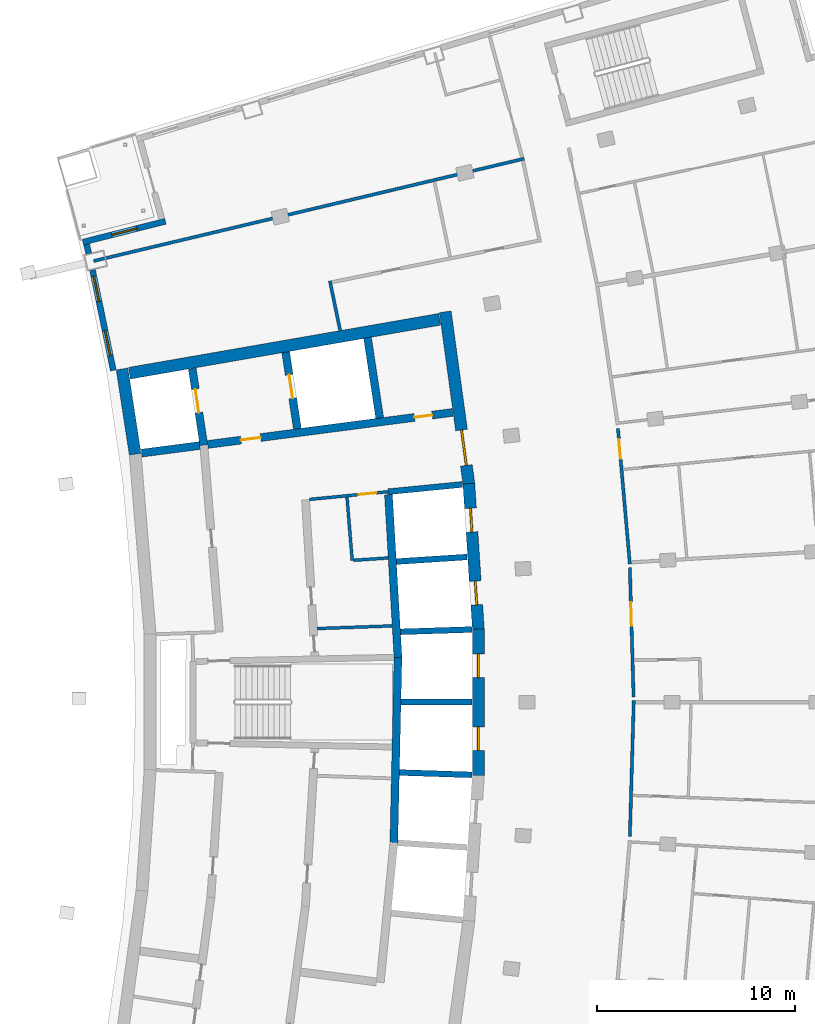
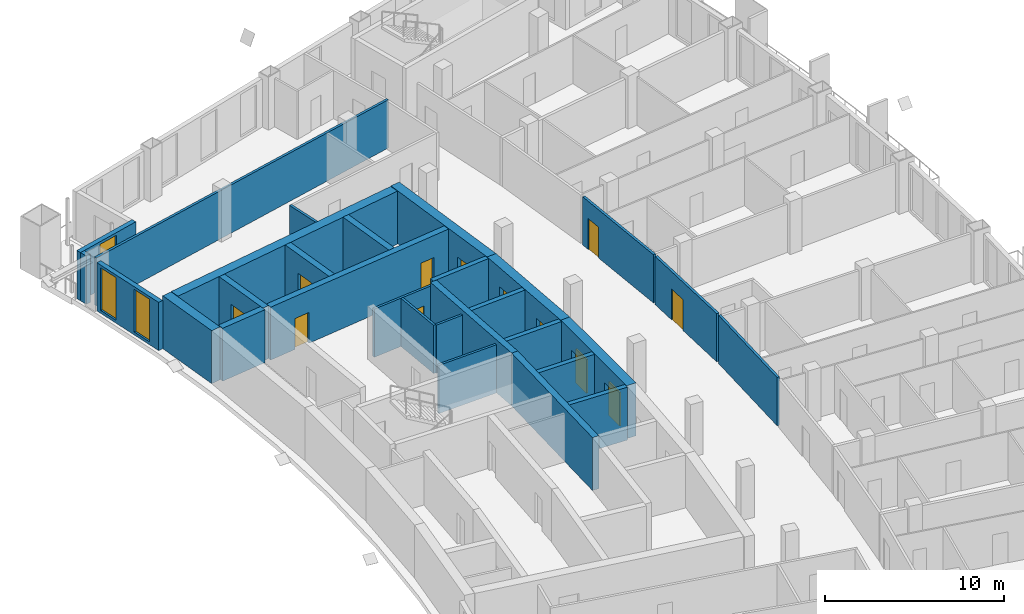
# One storey, part 12 of 17: 29 walls, 12 doors, 3 windows, 15 openings.
"""IFC4 building model written with IfcOpenShell, lengths in metres."""

from ifc_helpers import new_model, si_unit, direction, frame, frame_2d, origin, place, context, subcontext, project, spatial, rectangle, extrude, material, layer, layer_set, type_object, element, fill, save


model = new_model("IFC4")

# Units and contexts
model_context = context("Model", 3, precision=1e-05, world=origin(), true_north=direction((0.0, 1.0)))
body_context = subcontext(model_context, "Body", "Model", "MODEL_VIEW")
ifc_project = project(units=[si_unit("LENGTHUNIT", "METRE"), si_unit("AREAUNIT", "SQUARE_METRE"), si_unit("VOLUMEUNIT", "CUBIC_METRE"), si_unit("PLANEANGLEUNIT", "RADIAN"), si_unit("MASSUNIT", "GRAM", prefix="KILO")], contexts=[model_context])

# Site, building, storey
site_placement = place(None, origin())
site = spatial("IfcSite", under=ifc_project, at=site_placement, CompositionType="ELEMENT")
building_placement = place(site_placement, origin())
building = spatial("IfcBuilding", under=site, at=building_placement, Name="Alderwake Tower", CompositionType="ELEMENT")
storey_placement = place(building_placement, frame((0.0, 0.0, 218.0)))
storey = spatial("IfcBuildingStorey", under=building, at=storey_placement, Name="L54", CompositionType="ELEMENT", Elevation=218.0)

# Walls
ifc_material_1 = material(Name="Gypsum shaft wall system, rated")
ifc_layer_1 = layer(ifc_material_1, 0.14990234375)
ifc_layer_set_1 = layer_set([ifc_layer_1], Name="Core riser partition 150")
wall_type_1 = type_object("IfcWallType", Name="Core riser partition 150", PredefinedType="PARTITIONING", material=ifc_layer_set_1)
wall_1_placement = place(storey_placement, frame((25.191162109375, 64.723388671875, 0.0), z_axis=(0.0, 0.0, 1.0), x_axis=(0.999373627871, 0.035388584556, 0.0)))
element("IfcWall", 1, at=wall_1_placement, inside=storey, type_object=wall_type_1, Name="CW/L54/PR+37_+86", PredefinedType="PARTITIONING", context=body_context, shape_type="SweptSolid", body=[
    extrude(rectangle(XDim=3.79443359375, YDim=0.14990234375, at=frame_2d((1.897216796875, 0.0))), origin(), (0.0, 0.0, 1.0), 3.280029296875),
])
ifc_material_2 = material(Name="Gypsum shaft wall system, rated")
ifc_layer_2 = layer(ifc_material_2, 0.14990234375)
ifc_layer_set_2 = layer_set([ifc_layer_2], Name="Core room partition 150")
wall_type_2 = type_object("IfcWallType", Name="Core room partition 150", PredefinedType="PARTITIONING", material=ifc_layer_set_2)
wall_2_placement = place(storey_placement, frame((26.9599609375, 68.170654296875, 0.0), z_axis=(0.0, 0.0, 1.0), x_axis=(-0.081803626558, 0.996648466954, 0.0)))
element("IfcWall", 2, at=wall_2_placement, inside=storey, type_object=wall_type_2, Name="CW/L54/PA+107_+70", PredefinedType="PARTITIONING", context=body_context, shape_type="SweptSolid", body=[
    extrude(rectangle(XDim=3.205322265625, YDim=0.14990234375, at=frame_2d((1.6025390625, 0.0))), origin(), (0.0, 0.0, 1.0), 3.280029296875),
])
wall_3_placement = place(storey_placement, frame((27.034912109375, 68.175537109375, 0.0), z_axis=(0.0, 0.0, 1.0), x_axis=(0.997757929195, 0.066926188655, 0.0)))
element("IfcWall", 3, at=wall_3_placement, inside=storey, type_object=wall_type_2, Name="CW/L54/PR+70_+107", PredefinedType="PARTITIONING", context=body_context, shape_type="SweptSolid", body=[
    extrude(rectangle(XDim=1.7509765625, YDim=0.14990234375, at=frame_2d((0.87548828125, 0.0))), origin(), (0.0, 0.0, 1.0), 3.280029296875),
])

# Wall, opening, door
wall_4_placement = place(storey_placement, frame((28.780517578125, 71.644287109375, 0.0), z_axis=(0.0, 0.0, 1.0), x_axis=(-0.995250000627, -0.097352125046, 0.0)))
wall_4 = element("IfcWall", 4, at=wall_4_placement, inside=storey, type_object=wall_type_2, Name="CW/L54/PR+102_+86", PredefinedType="PARTITIONING", context=body_context, shape_type="SweptSolid", body=[
    extrude(rectangle(XDim=4.0, YDim=0.14990234375, at=frame_2d((2.0, 0.0))), origin(), (0.0, 0.0, 1.0), 3.280029296875),
])
opening_1_placement = place(wall_4_placement, frame((0.60009765625, 0.0, 0.0)))
opening_1 = element("IfcOpeningElement", 5, at=opening_1_placement, cuts=wall_4, Name="Opening C022", PredefinedType="OPENING", context=body_context, shape_type="SweptSolid", body=[
    extrude(rectangle(XDim=0.89990234375, YDim=2.10009765625, at=frame_2d((0.449951171875, 1.050048828125))), frame((0.0, 0.0849609375, 0.0), z_axis=(0.0, -1.0, 0.0), x_axis=(1.0, 0.0, 0.0)), (0.0, 0.0, 1.0), 0.169921875),
])
ifc_material_3 = material(Name="Painted steel leaf", Category="steel")
door_type_1 = type_object("IfcDoorType", Name="Core room door 900", OperationType="SINGLE_SWING_LEFT", PredefinedType="DOOR", material=ifc_material_3)
door_1_placement = place(opening_1_placement, origin())
door_1 = element("IfcDoor", 6, at=door_1_placement, inside=storey, type_object=door_type_1, Name="Room door", OperationType="SINGLE_SWING_LEFT", OverallHeight=2.10009765625, OverallWidth=0.89990234375, PredefinedType="DOOR", context=body_context, shape_type="SweptSolid", body=[
    extrude(rectangle(XDim=0.89990234375, YDim=2.10009765625, at=frame_2d((0.449951171875, 1.050048828125))), frame((0.0, 0.02490234375, 0.0), z_axis=(0.0, -1.0, 0.0), x_axis=(1.0, 0.0, 0.0)), (0.0, 0.0, 1.0), 0.050048828125),
])
fill(opening_1, door_1)

# Wall
ifc_material_4 = material(Name="Concrete C70/85", Category="concrete")
ifc_layer_3 = layer(ifc_material_4, 0.60009765625)
ifc_layer_set_3 = layer_set([ifc_layer_3], Name="Core wall outer 600 C70-85")
wall_type_3 = type_object("IfcWallType", Name="Core wall outer 600 C70-85", PredefinedType="SHEAR", material=ifc_layer_set_3)
wall_5_placement = place(storey_placement, frame((15.984130859375, 73.54296875, 0.0), z_axis=(0.0, 0.0, 1.0), x_axis=(-0.151922578304, 0.988392396876, 0.0)))
element("IfcWall", 7, at=wall_5_placement, inside=storey, type_object=wall_type_3, Name="Core wall CW.034", PredefinedType="SHEAR", context=body_context, shape_type="SweptSolid", body=[
    extrude(rectangle(XDim=4.361328125, YDim=0.60009765625, at=frame_2d((2.1806640625, 0.0))), origin(), (0.0, 0.0, 1.0), 3.60009765625),
])

# Wall, openings, doors
wall_6_placement = place(storey_placement, frame((33.340087890625, 57.30322265625, 0.0), z_axis=(0.0, 0.0, 1.0), x_axis=(0.0, 1.0, 0.0)))
wall_6 = element("IfcWall", 8, at=wall_6_placement, inside=storey, type_object=wall_type_3, Name="Core wall CW.018", PredefinedType="SHEAR", context=body_context, shape_type="SweptSolid", body=[
    extrude(rectangle(XDim=7.3935546875, YDim=0.60009765625, at=frame_2d((3.69677734375, 0.0))), origin(), (0.0, 0.0, 1.0), 3.60009765625),
])
opening_2_placement = place(wall_6_placement, frame((1.25341796875, 0.0, 0.0)))
opening_2 = element("IfcOpeningElement", 9, at=opening_2_placement, cuts=wall_6, Name="Opening LD-HP3", PredefinedType="OPENING", context=body_context, shape_type="SweptSolid", body=[
    extrude(rectangle(XDim=1.199951171875, YDim=2.300048828125, at=frame_2d((0.60009765625, 1.14990234375))), frame((0.0, 0.31005859375, 0.0), z_axis=(0.0, -1.0, 0.0), x_axis=(1.0, 0.0, 0.0)), (0.0, 0.0, 1.0), 0.6201171875),
])
opening_3_placement = place(wall_6_placement, frame((4.940185546875, 0.0, 0.0)))
opening_3 = element("IfcOpeningElement", 10, at=opening_3_placement, cuts=wall_6, Name="Opening LD-HP4", PredefinedType="OPENING", context=body_context, shape_type="SweptSolid", body=[
    extrude(rectangle(XDim=1.199951171875, YDim=2.300048828125, at=frame_2d((0.60009765625, 1.14990234375))), frame((0.0, 0.31005859375, 0.0), z_axis=(0.0, -1.0, 0.0), x_axis=(1.0, 0.0, 0.0)), (0.0, 0.0, 1.0), 0.6201171875),
])
ifc_material_5 = material(Name="Stainless steel sliding leaf", Category="steel")
door_type_2 = type_object("IfcDoorType", Name="Lift landing door 1200", OperationType="SLIDING_TO_LEFT", PredefinedType="DOOR", material=ifc_material_5)
door_2_placement = place(opening_2_placement, origin())
door_2 = element("IfcDoor", 11, at=door_2_placement, inside=storey, type_object=door_type_2, Name="Lift landing door HP3", OperationType="SLIDING_TO_LEFT", OverallHeight=2.300048828125, OverallWidth=1.199951171875, PredefinedType="DOOR", context=body_context, shape_type="SweptSolid", body=[
    extrude(rectangle(XDim=1.199951171875, YDim=2.300048828125, at=frame_2d((0.60009765625, 1.14990234375))), frame((0.0, 0.050048828125, 0.0), z_axis=(0.0, -1.0, 0.0), x_axis=(1.0, 0.0, 0.0)), (0.0, 0.0, 1.0), 0.10009765625),
])
fill(opening_2, door_2)
door_3_placement = place(opening_3_placement, origin())
door_3 = element("IfcDoor", 12, at=door_3_placement, inside=storey, type_object=door_type_2, Name="Lift landing door HP4", OperationType="SLIDING_TO_LEFT", OverallHeight=2.300048828125, OverallWidth=1.199951171875, PredefinedType="DOOR", context=body_context, shape_type="SweptSolid", body=[
    extrude(rectangle(XDim=1.199951171875, YDim=2.300048828125, at=frame_2d((0.60009765625, 1.14990234375))), frame((0.0, 0.050048828125, 0.0), z_axis=(0.0, -1.0, 0.0), x_axis=(1.0, 0.0, 0.0)), (0.0, 0.0, 1.0), 0.10009765625),
])
fill(opening_3, door_3)

wall_7_placement = place(storey_placement, frame((33.3408203125, 64.67626953125, 0.0), z_axis=(0.0, 0.0, 1.0), x_axis=(-0.065013379938, 0.997884392317, 0.0)))
wall_7 = element("IfcWall", 13, at=wall_7_placement, inside=storey, type_object=wall_type_3, Name="Core wall CW.015", PredefinedType="SHEAR", context=body_context, shape_type="SweptSolid", body=[
    extrude(rectangle(XDim=7.39404296875, YDim=0.60009765625, at=frame_2d((3.697021484375, 0.0))), origin(), (0.0, 0.0, 1.0), 3.60009765625),
])
opening_4_placement = place(wall_7_placement, frame((1.253173828125, 0.0, 0.0)))
opening_4 = element("IfcOpeningElement", 14, at=opening_4_placement, cuts=wall_7, Name="Opening LD-HP5", PredefinedType="OPENING", context=body_context, shape_type="SweptSolid", body=[
    extrude(rectangle(XDim=1.199951171875, YDim=2.300048828125, at=frame_2d((0.60009765625, 1.14990234375))), frame((0.0, 0.31005859375, 0.0), z_axis=(0.0, -1.0, 0.0), x_axis=(1.0, 0.0, 0.0)), (0.0, 0.0, 1.0), 0.6201171875),
])
opening_5_placement = place(wall_7_placement, frame((4.940185546875, 0.0, 0.0)))
opening_5 = element("IfcOpeningElement", 15, at=opening_5_placement, cuts=wall_7, Name="Opening LD-HP6", PredefinedType="OPENING", context=body_context, shape_type="SweptSolid", body=[
    extrude(rectangle(XDim=1.199951171875, YDim=2.300048828125, at=frame_2d((0.60009765625, 1.14990234375))), frame((0.0, 0.31005859375, 0.0), z_axis=(0.0, -1.0, 0.0), x_axis=(1.0, 0.0, 0.0)), (0.0, 0.0, 1.0), 0.6201171875),
])
door_4_placement = place(opening_4_placement, origin())
door_4 = element("IfcDoor", 16, at=door_4_placement, inside=storey, type_object=door_type_2, Name="Lift landing door HP5", OperationType="SLIDING_TO_LEFT", OverallHeight=2.300048828125, OverallWidth=1.199951171875, PredefinedType="DOOR", context=body_context, shape_type="SweptSolid", body=[
    extrude(rectangle(XDim=1.199951171875, YDim=2.300048828125, at=frame_2d((0.60009765625, 1.14990234375))), frame((0.0, 0.050048828125, 0.0), z_axis=(0.0, -1.0, 0.0), x_axis=(1.0, 0.0, 0.0)), (0.0, 0.0, 1.0), 0.10009765625),
])
fill(opening_4, door_4)
door_5_placement = place(opening_5_placement, origin())
door_5 = element("IfcDoor", 17, at=door_5_placement, inside=storey, type_object=door_type_2, Name="Lift landing door HP6", OperationType="SLIDING_TO_LEFT", OverallHeight=2.300048828125, OverallWidth=1.199951171875, PredefinedType="DOOR", context=body_context, shape_type="SweptSolid", body=[
    extrude(rectangle(XDim=1.199951171875, YDim=2.300048828125, at=frame_2d((0.60009765625, 1.14990234375))), frame((0.0, 0.050048828125, 0.0), z_axis=(0.0, -1.0, 0.0), x_axis=(1.0, 0.0, 0.0)), (0.0, 0.0, 1.0), 0.10009765625),
])
fill(opening_5, door_5)

# Wall, opening, door
wall_8_placement = place(storey_placement, frame((31.66796875, 80.743896484375, 0.0), z_axis=(0.0, 0.0, 1.0), x_axis=(0.135856583698, -0.990728514108, 0.0)))
wall_8 = element("IfcWall", 18, at=wall_8_placement, inside=storey, type_object=wall_type_3, Name="Core wall CW.014", PredefinedType="SHEAR", context=body_context, shape_type="SweptSolid", body=[
    extrude(rectangle(XDim=8.79296875, YDim=0.60009765625, at=frame_2d((4.396484375, 0.0))), origin(), (0.0, 0.0, 1.0), 3.60009765625),
])
opening_6_placement = place(wall_8_placement, frame((6.038818359375, 0.0, 0.0)))
opening_6 = element("IfcOpeningElement", 19, at=opening_6_placement, cuts=wall_8, Name="Opening C001", PredefinedType="OPENING", context=body_context, shape_type="SweptSolid", body=[
    extrude(rectangle(XDim=1.800048828125, YDim=2.10009765625, at=frame_2d((0.89990234375, 1.050048828125))), frame((0.0, 0.31005859375, 0.0), z_axis=(0.0, -1.0, 0.0), x_axis=(1.0, 0.0, 0.0)), (0.0, 0.0, 1.0), 0.6201171875),
])
ifc_material_6 = material(Name="Steel-framed fire door leaves", Category="steel")
door_type_3 = type_object("IfcDoorType", Name="Core double door 1800 fire-rated", OperationType="DOUBLE_DOOR_SINGLE_SWING", PredefinedType="DOOR", material=ifc_material_6)
door_6_placement = place(opening_6_placement, origin())
door_6 = element("IfcDoor", 20, at=door_6_placement, inside=storey, type_object=door_type_3, Name="Lobby double door", OperationType="DOUBLE_DOOR_SINGLE_SWING", OverallHeight=2.10009765625, OverallWidth=1.800048828125, PredefinedType="DOOR", context=body_context, shape_type="SweptSolid", body=[
    extrude(rectangle(XDim=1.800048828125, YDim=2.10009765625, at=frame_2d((0.89990234375, 1.050048828125))), frame((0.0, 0.050048828125, 0.0), z_axis=(0.0, -1.0, 0.0), x_axis=(1.0, 0.0, 0.0)), (0.0, 0.0, 1.0), 0.10009765625),
])
fill(opening_6, door_6)

# Walls
wall_9_placement = place(storey_placement, frame((15.68896484375, 77.6357421875, 0.0), z_axis=(0.0, 0.0, 1.0), x_axis=(0.985223223422, 0.17127521721, 0.0)))
element("IfcWall", 21, at=wall_9_placement, inside=storey, type_object=wall_type_3, Name="Core wall CW.055", PredefinedType="SHEAR", context=body_context, shape_type="SweptSolid", body=[
    extrude(rectangle(XDim=15.933349609375, YDim=0.60009765625, at=frame_2d((7.966796875, 0.0))), origin(), (0.0, 0.0, 1.0), 3.60009765625),
])
ifc_material_7 = material(Name="Concrete C70/85", Category="concrete")
ifc_layer_4 = layer(ifc_material_7, 0.300048828125)
ifc_layer_set_4 = layer_set([ifc_layer_4], Name="Core wall shaft 300 C70-85")
wall_type_4 = type_object("IfcWallType", Name="Core wall shaft 300 C70-85", PredefinedType="SHEAR", material=ifc_layer_set_4)
wall_10_placement = place(storey_placement, frame((29.347412109375, 57.443603515625, 0.0), z_axis=(0.0, 0.0, 1.0), x_axis=(0.99946918462, -0.032578351638, 0.0)))
element("IfcWall", 22, at=wall_10_placement, inside=storey, type_object=wall_type_4, Name="Core wall CW.075", PredefinedType="SHEAR", context=body_context, shape_type="SweptSolid", body=[
    extrude(rectangle(XDim=3.66455078125, YDim=0.300048828125, at=frame_2d((1.832275390625, 0.0))), origin(), (0.0, 0.0, 1.0), 3.60009765625),
])
wall_11_placement = place(storey_placement, frame((29.426025390625, 61.0, 0.0), z_axis=(0.0, 0.0, 1.0), x_axis=(1.0, 0.0, 0.0)))
element("IfcWall", 23, at=wall_11_placement, inside=storey, type_object=wall_type_4, Name="Core wall CW.048", PredefinedType="SHEAR", context=body_context, shape_type="SweptSolid", body=[
    extrude(rectangle(XDim=3.583984375, YDim=0.300048828125, at=frame_2d((1.7919921875, 0.0))), origin(), (0.0, 0.0, 1.0), 3.60009765625),
])
wall_12_placement = place(storey_placement, frame((29.401611328125, 64.558349609375, 0.0), z_axis=(0.0, 0.0, 1.0), x_axis=(0.999470865009, 0.032526758191, 0.0)))
element("IfcWall", 24, at=wall_12_placement, inside=storey, type_object=wall_type_4, Name="Core wall CW.058", PredefinedType="SHEAR", context=body_context, shape_type="SweptSolid", body=[
    extrude(rectangle(XDim=3.6103515625, YDim=0.300048828125, at=frame_2d((1.80517578125, 0.0))), origin(), (0.0, 0.0, 1.0), 3.60009765625),
])
wall_13_placement = place(storey_placement, frame((29.193603515625, 68.110595703125, 0.0), z_axis=(0.0, 0.0, 1.0), x_axis=(0.997887597979, 0.064964157805, 0.0)))
element("IfcWall", 25, at=wall_13_placement, inside=storey, type_object=wall_type_4, Name="Core wall CW.061", PredefinedType="SHEAR", context=body_context, shape_type="SweptSolid", body=[
    extrude(rectangle(XDim=3.585205078125, YDim=0.300048828125, at=frame_2d((1.79248046875, 0.0))), origin(), (0.0, 0.0, 1.0), 3.60009765625),
])
wall_14_placement = place(storey_placement, frame((28.780517578125, 71.644287109375, 0.0), z_axis=(0.0, 0.0, 1.0), x_axis=(0.995245280185, 0.097400370992, 0.0)))
element("IfcWall", 26, at=wall_14_placement, inside=storey, type_object=wall_type_4, Name="Core wall CW.049", PredefinedType="SHEAR", context=body_context, shape_type="SweptSolid", body=[
    extrude(rectangle(XDim=3.769775390625, YDim=0.300048828125, at=frame_2d((1.884765625, 0.0))), origin(), (0.0, 0.0, 1.0), 3.60009765625),
])

# Wall, opening, door
ifc_material_8 = material(Name="Concrete C70/85", Category="concrete")
ifc_layer_5 = layer(ifc_material_8, 0.39990234375)
ifc_layer_set_5 = layer_set([ifc_layer_5], Name="Core wall spine 400 C70-85")
wall_type_5 = type_object("IfcWallType", Name="Core wall spine 400 C70-85", PredefinedType="SHEAR", material=ifc_layer_set_5)
wall_15_placement = place(storey_placement, frame((19.4541015625, 74.00048828125, 0.0), z_axis=(0.0, 0.0, 1.0), x_axis=(-0.148977743105, 0.98884054936, 0.0)))
wall_15 = element("IfcWall", 27, at=wall_15_placement, inside=storey, type_object=wall_type_5, Name="Core wall CW.030", PredefinedType="SHEAR", context=body_context, shape_type="SweptSolid", body=[
    extrude(rectangle(XDim=3.9150390625, YDim=0.39990234375, at=frame_2d((1.95751953125, 0.0))), origin(), (0.0, 0.0, 1.0), 3.60009765625),
])
opening_7_placement = place(wall_15_placement, frame((1.6611328125, 0.0, 0.0)))
opening_7 = element("IfcOpeningElement", 28, at=opening_7_placement, cuts=wall_15, Name="Opening LD-FF1", PredefinedType="OPENING", context=body_context, shape_type="SweptSolid", body=[
    extrude(rectangle(XDim=1.199951171875, YDim=2.300048828125, at=frame_2d((0.60009765625, 1.14990234375))), frame((0.0, 0.2099609375, 0.0), z_axis=(0.0, -1.0, 0.0), x_axis=(1.0, 0.0, 0.0)), (0.0, 0.0, 1.0), 0.419921875),
])
door_7_placement = place(opening_7_placement, origin())
door_7 = element("IfcDoor", 29, at=door_7_placement, inside=storey, type_object=door_type_2, Name="Lift landing door FF1", OperationType="SLIDING_TO_LEFT", OverallHeight=2.300048828125, OverallWidth=1.199951171875, PredefinedType="DOOR", context=body_context, shape_type="SweptSolid", body=[
    extrude(rectangle(XDim=1.199951171875, YDim=2.300048828125, at=frame_2d((0.60009765625, 1.14990234375))), frame((0.0, 0.02490234375, 0.0), z_axis=(0.0, -1.0, 0.0), x_axis=(1.0, 0.0, 0.0)), (0.0, 0.0, 1.0), 0.050048828125),
])
fill(opening_7, door_7)

wall_16_placement = place(storey_placement, frame((24.186279296875, 74.82861328125, 0.0), z_axis=(0.0, 0.0, 1.0), x_axis=(-0.150092938275, 0.988671891924, 0.0)))
wall_16 = element("IfcWall", 30, at=wall_16_placement, inside=storey, type_object=wall_type_5, Name="Core wall CW.044", PredefinedType="SHEAR", context=body_context, shape_type="SweptSolid", body=[
    extrude(rectangle(XDim=3.92333984375, YDim=0.39990234375, at=frame_2d((1.961669921875, 0.0))), origin(), (0.0, 0.0, 1.0), 3.60009765625),
])
opening_8_placement = place(wall_16_placement, frame((1.561767578125, 0.0, 0.0)))
opening_8 = element("IfcOpeningElement", 31, at=opening_8_placement, cuts=wall_16, Name="Opening LD-FF2", PredefinedType="OPENING", context=body_context, shape_type="SweptSolid", body=[
    extrude(rectangle(XDim=1.199951171875, YDim=2.300048828125, at=frame_2d((0.60009765625, 1.14990234375))), frame((0.0, 0.2099609375, 0.0), z_axis=(0.0, -1.0, 0.0), x_axis=(1.0, 0.0, 0.0)), (0.0, 0.0, 1.0), 0.419921875),
])
door_8_placement = place(opening_8_placement, origin())
door_8 = element("IfcDoor", 32, at=door_8_placement, inside=storey, type_object=door_type_2, Name="Lift landing door FF2", OperationType="SLIDING_TO_LEFT", OverallHeight=2.300048828125, OverallWidth=1.199951171875, PredefinedType="DOOR", context=body_context, shape_type="SweptSolid", body=[
    extrude(rectangle(XDim=1.199951171875, YDim=2.300048828125, at=frame_2d((0.60009765625, 1.14990234375))), frame((0.0, 0.02490234375, 0.0), z_axis=(0.0, -1.0, 0.0), x_axis=(1.0, 0.0, 0.0)), (0.0, 0.0, 1.0), 0.050048828125),
])
fill(opening_8, door_8)

# Walls
wall_17_placement = place(storey_placement, frame((29.06884765625, 53.889404296875, 0.0), z_axis=(0.0, 0.0, 1.0), x_axis=(0.022115148322, 0.9997554302, 0.0)))
element("IfcWall", 33, at=wall_17_placement, inside=storey, type_object=wall_type_5, Name="Core wall CW.008", PredefinedType="SHEAR", context=body_context, shape_type="SweptSolid", body=[
    extrude(rectangle(XDim=9.39453125, YDim=0.39990234375, at=frame_2d((4.697265625, 0.0))), origin(), (0.0, 0.0, 1.0), 3.60009765625),
])
wall_18_placement = place(storey_placement, frame((29.27685546875, 63.2646484375, 0.0), z_axis=(0.0, 0.0, 1.0), x_axis=(-0.0584546922, 0.998290062537, 0.0)))
element("IfcWall", 34, at=wall_18_placement, inside=storey, type_object=wall_type_5, Name="Core wall CW.002", PredefinedType="SHEAR", context=body_context, shape_type="SweptSolid", body=[
    extrude(rectangle(XDim=8.24462890625, YDim=0.39990234375, at=frame_2d((4.122314453125, 0.0))), origin(), (0.0, 0.0, 1.0), 3.60009765625),
])
wall_19_placement = place(storey_placement, frame((28.350830078125, 75.373291015625, 0.0), z_axis=(0.0, 0.0, 1.0), x_axis=(-0.150143035921, 0.988664285167, 0.0)))
element("IfcWall", 35, at=wall_19_placement, inside=storey, type_object=wall_type_5, Name="Core wall CW.001", PredefinedType="SHEAR", context=body_context, shape_type="SweptSolid", body=[
    extrude(rectangle(XDim=4.1123046875, YDim=0.39990234375, at=frame_2d((2.05615234375, 0.0))), origin(), (0.0, 0.0, 1.0), 3.60009765625),
])
wall_20_placement = place(storey_placement, frame((16.31005859375, 73.5966796875, 0.0), z_axis=(0.0, 0.0, 1.0), x_axis=(0.99155863891, 0.12965903595, 0.0)))
element("IfcWall", 36, at=wall_20_placement, inside=storey, type_object=wall_type_5, Name="Core wall CW.051", PredefinedType="SHEAR", context=body_context, shape_type="SweptSolid", body=[
    extrude(rectangle(XDim=2.969482421875, YDim=0.39990234375, at=frame_2d((1.48486328125, 0.0))), origin(), (0.0, 0.0, 1.0), 3.60009765625),
])

# Wall, openings, doors
wall_21_placement = place(storey_placement, frame((32.032958984375, 75.653076171875, 0.0), z_axis=(0.0, 0.0, 1.0), x_axis=(-0.991554886316, -0.129687730428, 0.0)))
wall_21 = element("IfcWall", 37, at=wall_21_placement, inside=storey, type_object=wall_type_5, Name="Core wall CW.052", PredefinedType="SHEAR", context=body_context, shape_type="SweptSolid", body=[
    extrude(rectangle(XDim=12.48681640625, YDim=0.39990234375, at=frame_2d((6.243408203125, 0.0))), origin(), (0.0, 0.0, 1.0), 3.60009765625),
])
opening_9_placement = place(wall_21_placement, frame((9.787109375, 0.0, 0.0)))
opening_9 = element("IfcOpeningElement", 38, at=opening_9_placement, cuts=wall_21, Name="Opening C002", PredefinedType="OPENING", context=body_context, shape_type="SweptSolid", body=[
    extrude(rectangle(XDim=1.0, YDim=2.10009765625, at=frame_2d((0.5, 1.050048828125))), frame((0.0, 0.2099609375, 0.0), z_axis=(0.0, -1.0, 0.0), x_axis=(1.0, 0.0, 0.0)), (0.0, 0.0, 1.0), 0.419921875),
])
opening_10_placement = place(wall_21_placement, frame((1.037109375, 0.0, 0.0)))
opening_10 = element("IfcOpeningElement", 39, at=opening_10_placement, cuts=wall_21, Name="Opening C020", PredefinedType="OPENING", context=body_context, shape_type="SweptSolid", body=[
    extrude(rectangle(XDim=0.89990234375, YDim=2.10009765625, at=frame_2d((0.449951171875, 1.050048828125))), frame((0.0, 0.2099609375, 0.0), z_axis=(0.0, -1.0, 0.0), x_axis=(1.0, 0.0, 0.0)), (0.0, 0.0, 1.0), 0.419921875),
])
door_9_placement = place(opening_10_placement, origin())
door_9 = element("IfcDoor", 40, at=door_9_placement, inside=storey, type_object=door_type_1, Name="Room door", OperationType="SINGLE_SWING_RIGHT", OverallHeight=2.10009765625, OverallWidth=0.89990234375, PredefinedType="DOOR", context=body_context, shape_type="SweptSolid", body=[
    extrude(rectangle(XDim=0.89990234375, YDim=2.10009765625, at=frame_2d((0.449951171875, 1.050048828125))), frame((0.0, 0.02490234375, 0.0), z_axis=(0.0, -1.0, 0.0), x_axis=(1.0, 0.0, 0.0)), (0.0, 0.0, 1.0), 0.050048828125),
])
fill(opening_10, door_9)
ifc_material_9 = material(Name="Steel-framed fire door leaf", Category="steel")
door_type_4 = type_object("IfcDoorType", Name="Firefighting lobby door 1000 fire-rated", OperationType="SINGLE_SWING_LEFT", PredefinedType="DOOR", material=ifc_material_9)
door_10_placement = place(opening_9_placement, origin())
door_10 = element("IfcDoor", 41, at=door_10_placement, inside=storey, type_object=door_type_4, Name="Firefighting lobby door", OperationType="SINGLE_SWING_RIGHT", OverallHeight=2.10009765625, OverallWidth=1.0, PredefinedType="DOOR", context=body_context, shape_type="SweptSolid", body=[
    extrude(rectangle(XDim=1.0, YDim=2.10009765625, at=frame_2d((0.5, 1.050048828125))), frame((0.0, 0.02490234375, 0.0), z_axis=(0.0, -1.0, 0.0), x_axis=(1.0, 0.0, 0.0)), (0.0, 0.0, 1.0), 0.050048828125),
])
fill(opening_9, door_10)

# Walls
ifc_material_10 = material(Name="Gypsum board on metal studs, rated")
ifc_layer_6 = layer(ifc_material_10, 0.159912109375)
ifc_layer_set_6 = layer_set([ifc_layer_6], Name="Corridor wall 160")
wall_type_6 = type_object("IfcWallType", Name="Corridor wall 160", PredefinedType="PARTITIONING", material=ifc_layer_set_6)
wall_22_placement = place(storey_placement, frame((13.884033203125, 83.31298828125, 0.0), z_axis=(0.0, 0.0, 1.0), x_axis=(0.972893462073, 0.231253781493, 0.0)))
element("IfcWall", 42, at=wall_22_placement, inside=storey, type_object=wall_type_6, Name="WL/L54/W09", PredefinedType="PARTITIONING", context=body_context, shape_type="SweptSolid", body=[
    extrude(rectangle(XDim=22.38037109375, YDim=0.159912109375, at=frame_2d((11.190185546875, 0.0))), origin(), (0.0, 0.0, 1.0), 3.280029296875),
])
wall_23_placement = place(storey_placement, frame((25.831787109375, 82.305419921875, 0.0), z_axis=(0.0, 0.0, 1.0), x_axis=(0.202450797205, -0.979292435747, 0.0)))
element("IfcWall", 43, at=wall_23_placement, inside=storey, type_object=wall_type_6, Name="WL/L54/W12", PredefinedType="PARTITIONING", context=body_context, shape_type="SweptSolid", body=[
    extrude(rectangle(XDim=2.555419921875, YDim=0.159912109375, at=frame_2d((1.27783203125, 0.0))), origin(), (0.0, 0.0, 1.0), 3.280029296875),
])
wall_24_placement = place(storey_placement, frame((41.002685546875, 54.20068359375, 0.0), z_axis=(0.0, 0.0, 1.0), x_axis=(0.028879835058, 0.999582890573, 0.0)))
element("IfcWall", 44, at=wall_24_placement, inside=storey, type_object=wall_type_6, Name="WL/L54/W23", PredefinedType="PARTITIONING", context=body_context, shape_type="SweptSolid", body=[
    extrude(rectangle(XDim=6.88134765625, YDim=0.159912109375, at=frame_2d((3.440673828125, 0.0))), origin(), (0.0, 0.0, 1.0), 3.280029296875),
])

# Wall, opening, door
wall_25_placement = place(storey_placement, frame((40.400390625, 74.84228515625, 0.0), z_axis=(0.0, 0.0, 1.0), x_axis=(0.087419573149, -0.996171580718, 0.0)))
wall_25 = element("IfcWall", 45, at=wall_25_placement, inside=storey, type_object=wall_type_6, Name="WL/L54/W24", PredefinedType="PARTITIONING", context=body_context, shape_type="SweptSolid", body=[
    extrude(rectangle(XDim=6.88134765625, YDim=0.159912109375, at=frame_2d((3.440673828125, 0.0))), origin(), (0.0, 0.0, 1.0), 3.280029296875),
])
opening_11_placement = place(wall_25_placement, frame((0.544921875, 0.0, 0.0)))
opening_11 = element("IfcOpeningElement", 46, at=opening_11_placement, cuts=wall_25, Name="Opening R15-U06.2", PredefinedType="OPENING", context=body_context, shape_type="SweptSolid", body=[
    extrude(rectangle(XDim=1.0, YDim=2.10009765625, at=frame_2d((0.5, 1.050048828125))), frame((0.0, 0.08984375, 0.0), z_axis=(0.0, -1.0, 0.0), x_axis=(1.0, 0.0, 0.0)), (0.0, 0.0, 1.0), 0.179931640625),
])
ifc_material_11 = material(Name="Solid timber leaf in steel frame", Category="steel")
door_type_5 = type_object("IfcDoorType", Name="Flat entrance door 1000 fire-rated", OperationType="SINGLE_SWING_LEFT", PredefinedType="DOOR", material=ifc_material_11)
door_11_placement = place(opening_11_placement, origin())
door_11 = element("IfcDoor", 47, at=door_11_placement, inside=storey, type_object=door_type_5, Name="DR/L54/U06.2", OperationType="SINGLE_SWING_LEFT", OverallHeight=2.10009765625, OverallWidth=1.0, PredefinedType="DOOR", context=body_context, shape_type="SweptSolid", body=[
    extrude(rectangle(XDim=1.0, YDim=2.10009765625, at=frame_2d((0.5, 1.050048828125))), frame((0.0, 0.02490234375, 0.0), z_axis=(0.0, -1.0, 0.0), x_axis=(1.0, 0.0, 0.0)), (0.0, 0.0, 1.0), 0.050048828125),
])
fill(opening_11, door_11)

wall_26_placement = place(storey_placement, frame((41.002685546875, 67.80029296875, 0.0), z_axis=(0.0, 0.0, 1.0), x_axis=(0.02886788617, -0.999583235728, 0.0)))
wall_26 = element("IfcWall", 48, at=wall_26_placement, inside=storey, type_object=wall_type_6, Name="WL/L54/W25", PredefinedType="PARTITIONING", context=body_context, shape_type="SweptSolid", body=[
    extrude(rectangle(XDim=6.537353515625, YDim=0.159912109375, at=frame_2d((3.2685546875, 0.0))), origin(), (0.0, 0.0, 1.0), 3.280029296875),
])
opening_12_placement = place(wall_26_placement, frame((1.7412109375, 0.0, 0.0)))
opening_12 = element("IfcOpeningElement", 49, at=opening_12_placement, cuts=wall_26, Name="Opening R15-AM1.1", PredefinedType="OPENING", context=body_context, shape_type="SweptSolid", body=[
    extrude(rectangle(XDim=1.199951171875, YDim=2.10009765625, at=frame_2d((0.60009765625, 1.050048828125))), frame((0.0, 0.08984375, 0.0), z_axis=(0.0, -1.0, 0.0), x_axis=(1.0, 0.0, 0.0)), (0.0, 0.0, 1.0), 0.179931640625),
])
ifc_material_12 = material(Name="Steel-framed fire door leaf", Category="steel")
door_type_6 = type_object("IfcDoorType", Name="Lobby door 1200 fire-rated", OperationType="SINGLE_SWING_LEFT", PredefinedType="DOOR", material=ifc_material_12)
door_12_placement = place(opening_12_placement, origin())
door_12 = element("IfcDoor", 50, at=door_12_placement, inside=storey, type_object=door_type_6, Name="DR/L54/AM1.1", OperationType="SINGLE_SWING_LEFT", OverallHeight=2.10009765625, OverallWidth=1.199951171875, PredefinedType="DOOR", context=body_context, shape_type="SweptSolid", body=[
    extrude(rectangle(XDim=1.199951171875, YDim=2.10009765625, at=frame_2d((0.60009765625, 1.050048828125))), frame((0.0, 0.02490234375, 0.0), z_axis=(0.0, -1.0, 0.0), x_axis=(1.0, 0.0, 0.0)), (0.0, 0.0, 1.0), 0.050048828125),
])
fill(opening_12, door_12)

# Wall
ifc_material_13 = material(Name="Precast concrete C50/60 spandrel panel", Category="concrete")
ifc_layer_7 = layer(ifc_material_13, 0.300048828125)
ifc_layer_set_7 = layer_set([ifc_layer_7], Name="External wall EW1 Precast concrete C50/60 spandrel")
wall_type_7 = type_object("IfcWallType", Name="External wall EW1 Precast concrete C50/60 spandrel", PredefinedType="SOLIDWALL", material=ifc_layer_set_7)
wall_27_placement = place(storey_placement, frame((13.523193359375, 84.1572265625, 0.0), z_axis=(0.0, 0.0, 1.0), x_axis=(0.238448700846, -0.971155094238, 0.0)))
element("IfcWall", 51, at=wall_27_placement, inside=storey, type_object=wall_type_7, Name="External wall 30", PredefinedType="SOLIDWALL", context=body_context, shape_type="SweptSolid", body=[
    extrude(rectangle(XDim=0.47802734375, YDim=0.300048828125, at=frame_2d((0.239013671875, 0.0))), origin(), (0.0, 0.0, 1.0), 3.280029296875),
])

# Wall, openings, windows
wall_28_placement = place(storey_placement, frame((13.826904296875, 82.8544921875, 0.0), z_axis=(0.0, 0.0, 1.0), x_axis=(0.202730149235, -0.979234643276, 0.0)))
wall_28 = element("IfcWall", 52, at=wall_28_placement, inside=storey, type_object=wall_type_7, Name="External wall 31", PredefinedType="SOLIDWALL", context=body_context, shape_type="SweptSolid", body=[
    extrude(rectangle(XDim=5.185546875, YDim=0.300048828125, at=frame_2d((2.5927734375, 0.0))), origin(), (0.0, 0.0, 1.0), 3.280029296875),
])
opening_13_placement = place(wall_28_placement, frame((0.316162109375, 0.0, 0.199951171875)))
opening_13 = element("IfcOpeningElement", 53, at=opening_13_placement, cuts=wall_28, Name="Opening W1", PredefinedType="OPENING", context=body_context, shape_type="SweptSolid", body=[
    extrude(rectangle(XDim=1.300048828125, YDim=2.89990234375, at=frame_2d((0.64990234375, 1.449951171875))), frame((0.0, 0.159912109375, 0.0), z_axis=(0.0, -1.0, 0.0), x_axis=(1.0, 0.0, 0.0)), (0.0, 0.0, 1.0), 0.320068359375),
])
opening_14_placement = place(wall_28_placement, frame((3.12890625, 0.0, 0.199951171875)))
opening_14 = element("IfcOpeningElement", 54, at=opening_14_placement, cuts=wall_28, Name="Opening W1", PredefinedType="OPENING", context=body_context, shape_type="SweptSolid", body=[
    extrude(rectangle(XDim=1.300048828125, YDim=2.89990234375, at=frame_2d((0.64990234375, 1.449951171875))), frame((0.0, 0.159912109375, 0.0), z_axis=(0.0, -1.0, 0.0), x_axis=(1.0, 0.0, 0.0)), (0.0, 0.0, 1.0), 0.320068359375),
])
ifc_material_14 = material(Name="Bronze tinted glass in aluminium frame", Category="aluminium")
window_type = type_object("IfcWindowType", Name="Window W1 tall fixed and vent", PartitioningType="DOUBLE_PANEL_VERTICAL", PredefinedType="WINDOW", material=ifc_material_14)
window_1_placement = place(opening_13_placement, origin())
window_1 = element("IfcWindow", 55, at=window_1_placement, inside=storey, type_object=window_type, Name="Window W1 tall fixed and vent", OverallHeight=2.89990234375, OverallWidth=1.300048828125, PartitioningType="DOUBLE_PANEL_VERTICAL", PredefinedType="WINDOW", context=body_context, shape_type="SweptSolid", body=[
    extrude(rectangle(XDim=1.300048828125, YDim=2.89990234375, at=frame_2d((0.64990234375, 1.449951171875))), frame((0.0, 0.030029296875, 0.0), z_axis=(0.0, -1.0, 0.0), x_axis=(1.0, 0.0, 0.0)), (0.0, 0.0, 1.0), 0.06005859375),
])
fill(opening_13, window_1)
window_2_placement = place(opening_14_placement, origin())
window_2 = element("IfcWindow", 56, at=window_2_placement, inside=storey, type_object=window_type, Name="Window W1 tall fixed and vent", OverallHeight=2.89990234375, OverallWidth=1.300048828125, PartitioningType="DOUBLE_PANEL_VERTICAL", PredefinedType="WINDOW", context=body_context, shape_type="SweptSolid", body=[
    extrude(rectangle(XDim=1.300048828125, YDim=2.89990234375, at=frame_2d((0.64990234375, 1.449951171875))), frame((0.0, 0.030029296875, 0.0), z_axis=(0.0, -1.0, 0.0), x_axis=(1.0, 0.0, 0.0)), (0.0, 0.0, 1.0), 0.06005859375),
])
fill(opening_14, window_2)

# Wall, opening, window
ifc_material_15 = material(Name="Bronze metal cladding on lightweight framing")
ifc_layer_8 = layer(ifc_material_15, 0.300048828125)
ifc_layer_set_8 = layer_set([ifc_layer_8], Name="External wall EW2 bronze metal cladding")
wall_type_8 = type_object("IfcWallType", Name="External wall EW2 bronze metal cladding", PredefinedType="SOLIDWALL", material=ifc_layer_set_8)
wall_29_placement = place(storey_placement, frame((17.51611328125, 85.32275390625, 0.0), z_axis=(0.0, 0.0, 1.0), x_axis=(-0.969417740682, -0.245416470617, 0.0)))
wall_29 = element("IfcWall", 57, at=wall_29_placement, inside=storey, type_object=wall_type_8, Name="External wall 29", PredefinedType="SOLIDWALL", context=body_context, shape_type="SweptSolid", body=[
    extrude(rectangle(XDim=4.305419921875, YDim=0.300048828125, at=frame_2d((2.15283203125, 0.0))), origin(), (0.0, 0.0, 1.0), 3.280029296875),
])
opening_15_placement = place(wall_29_placement, frame((1.502685546875, 0.0, 0.199951171875)))
opening_15 = element("IfcOpeningElement", 58, at=opening_15_placement, cuts=wall_29, Name="Opening W1", PredefinedType="OPENING", context=body_context, shape_type="SweptSolid", body=[
    extrude(rectangle(XDim=1.300048828125, YDim=2.89990234375, at=frame_2d((0.64990234375, 1.449951171875))), frame((0.0, 0.159912109375, 0.0), z_axis=(0.0, -1.0, 0.0), x_axis=(1.0, 0.0, 0.0)), (0.0, 0.0, 1.0), 0.320068359375),
])
window_3_placement = place(opening_15_placement, origin())
window_3 = element("IfcWindow", 59, at=window_3_placement, inside=storey, type_object=window_type, Name="Window W1 tall fixed and vent", OverallHeight=2.89990234375, OverallWidth=1.300048828125, PartitioningType="DOUBLE_PANEL_VERTICAL", PredefinedType="WINDOW", context=body_context, shape_type="SweptSolid", body=[
    extrude(rectangle(XDim=1.300048828125, YDim=2.89990234375, at=frame_2d((0.64990234375, 1.449951171875))), frame((0.0, 0.030029296875, 0.0), z_axis=(0.0, -1.0, 0.0), x_axis=(1.0, 0.0, 0.0)), (0.0, 0.0, 1.0), 0.06005859375),
])
fill(opening_15, window_3)

save(model, "model.ifc")
